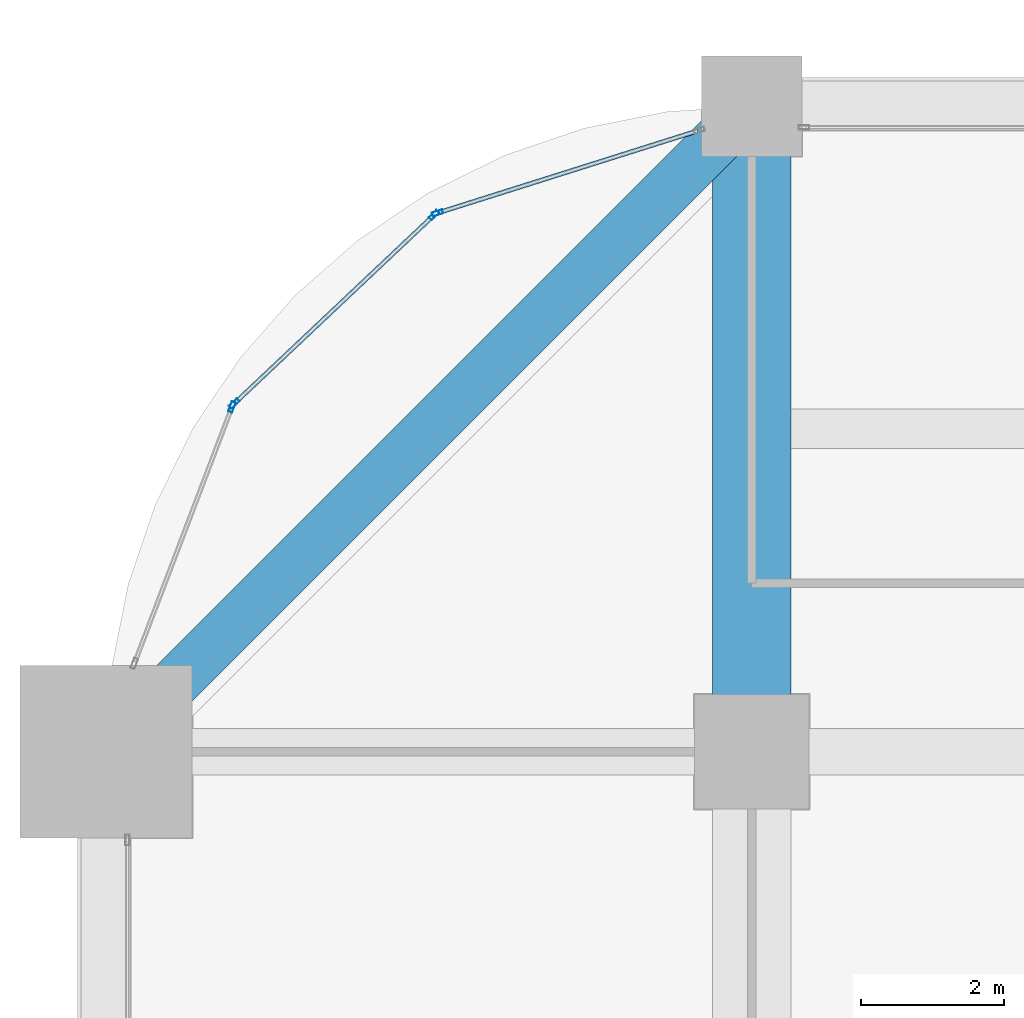
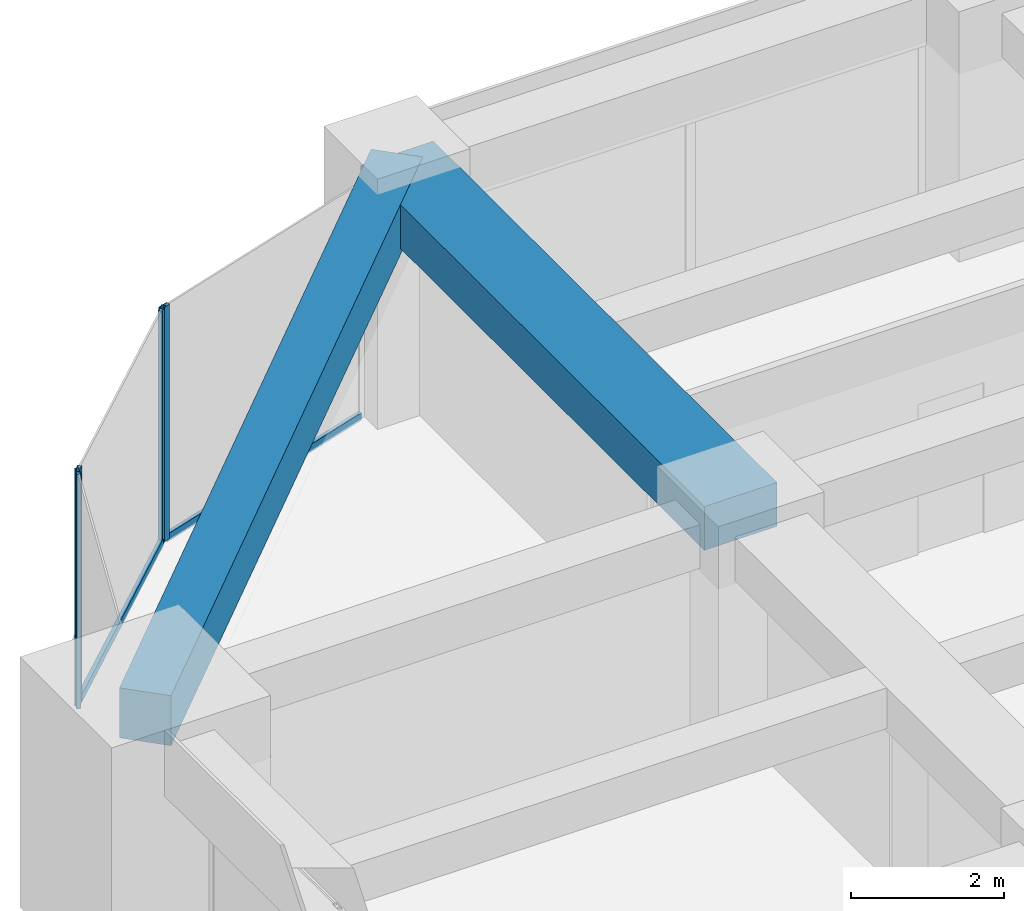
# One storey, part 22 of 32: 6 members, 2 beams, 3 elements without a shape of their own.
"""IFC4 building model written with IfcOpenShell, lengths in metres."""

from ifc_helpers import new_model, si_unit, direction, frame, origin, origin_2d, place, context, subcontext, project, spatial, rectangle, hollow_rectangle, extrude, material, material_profile, profile_set, type_object, element, aggregate, save


model = new_model("IFC4")

# Units and contexts
model_context = context("Model", 3, precision=1e-05, world=origin(), true_north=direction((0.0, 1.0)))
body_context = subcontext(model_context, "Body", "Model", "MODEL_VIEW")
ifc_project = project(units=[si_unit("LENGTHUNIT", "METRE"), si_unit("AREAUNIT", "SQUARE_METRE"), si_unit("VOLUMEUNIT", "CUBIC_METRE"), si_unit("PLANEANGLEUNIT", "RADIAN"), si_unit("MASSUNIT", "GRAM", prefix="KILO")], contexts=[model_context])

# Site, building, storey
site_placement = place(None, origin())
site = spatial("IfcSite", under=ifc_project, at=site_placement, CompositionType="ELEMENT")
building_placement = place(site_placement, origin())
building = spatial("IfcBuilding", under=site, at=building_placement, Name="Zorevar Civic Tower", CompositionType="ELEMENT")
storey_placement = place(building_placement, frame((0.0, 0.0, 186.199951171875)))
storey = spatial("IfcBuildingStorey", under=building, at=storey_placement, Name="L45", CompositionType="ELEMENT", Elevation=186.199951171875)

# Beam
ifc_material_1 = material(Name="Concrete C50/60", Category="concrete")
ifc_material_profile_1 = material_profile(ifc_material_1, rectangle(XDim=1.10009765625, YDim=0.699951171875, at=origin_2d()), Name="RC 1100x700")
ifc_profile_set_1 = profile_set([ifc_material_profile_1], Name="Concrete C50/60")
beam_type_1 = type_object("IfcBeamType", Name="Beam RC 1100x700", PredefinedType="BEAM", material=ifc_profile_set_1)
beam_1_placement = place(storey_placement, frame((9.0, 36.0, 3.400146484375), z_axis=(0.0, 1.0, 0.0), x_axis=(-1.0, 0.0, 0.0)))
element("IfcBeam", 1, at=beam_1_placement, inside=storey, type_object=beam_type_1, Name="Girder L46", PredefinedType="BEAM", context=body_context, shape_type="SweptSolid", body=[
    extrude(rectangle(XDim=1.10009765625, YDim=0.699951171875, at=origin_2d()), origin(), (0.0, 0.0, 1.0), 9.0),
])

# Curtain wall, member
ifc_material_2 = material(Name="Dark grey solar-control glass in black aluminium frame", Category="aluminium")
curtain_wall_type = type_object("IfcCurtainWallType", Name="Curtain wall CW4 high zone", PredefinedType="NOTDEFINED", material=ifc_material_2)
curtain_wall_1_placement = place(storey_placement, origin())
curtain_wall_1 = element("IfcCurtainWall", 2, at=curtain_wall_1_placement, inside=storey, type_object=curtain_wall_type, Name="CW4 L45", PredefinedType="NOTDEFINED")
ifc_material_3 = material(Name="Aluminium, black anodised", Category="aluminium")
ifc_material_profile_2 = material_profile(ifc_material_3, hollow_rectangle(XDim=0.06005859375, YDim=0.14990234375, WallThickness=0.00390625, at=origin_2d()), Name="AL 150x60x4")
ifc_profile_set_2 = profile_set([ifc_material_profile_2], Name="Aluminium, black anodised")
member_type_1 = type_object("IfcMemberType", Name="CW4 mullion AL 150x60x4", PredefinedType="MULLION", material=ifc_profile_set_2)
member_1_placement = place(storey_placement, frame((4.62158203125, 43.51025390625, 0.0), z_axis=(0.0, 0.0, 1.0), x_axis=(0.301108296077, -0.953589950678, 0.0)))
member_1 = element("IfcMember", 3, at=member_1_placement, type_object=member_type_1, Name="CW4 mullion 2", PredefinedType="MULLION", context=body_context, shape_type="SweptSolid", body=[
    extrude(hollow_rectangle(XDim=0.06005859375, YDim=0.14990234375, WallThickness=0.00390625, at=origin_2d()), origin(), (0.0, 0.0, 1.0), 3.75),
])

# Curtain wall, members
curtain_wall_2_placement = place(storey_placement, origin())
curtain_wall_2 = element("IfcCurtainWall", 4, at=curtain_wall_2_placement, inside=storey, type_object=curtain_wall_type, Name="CW4 L45", PredefinedType="NOTDEFINED")
member_2_placement = place(storey_placement, frame((4.5712890625, 43.480712890625, 0.0), z_axis=(0.0, 0.0, 1.0), x_axis=(0.686377907265, -0.727245053898, 0.0)))
member_2 = element("IfcMember", 5, at=member_2_placement, type_object=member_type_1, Name="CW4 mullion 1", PredefinedType="MULLION", context=body_context, shape_type="SweptSolid", body=[
    extrude(hollow_rectangle(XDim=0.06005859375, YDim=0.14990234375, WallThickness=0.00390625, at=origin_2d()), origin(), (0.0, 0.0, 1.0), 3.75),
])
member_3_placement = place(storey_placement, frame((1.787841796875, 40.853759765625, 0.0), z_axis=(0.0, 0.0, 1.0), x_axis=(0.686377907265, -0.727245053898, 0.0)))
member_3 = element("IfcMember", 6, at=member_3_placement, type_object=member_type_1, Name="CW4 mullion 2", PredefinedType="MULLION", context=body_context, shape_type="SweptSolid", body=[
    extrude(hollow_rectangle(XDim=0.06005859375, YDim=0.14990234375, WallThickness=0.00390625, at=origin_2d()), origin(), (0.0, 0.0, 1.0), 3.75),
])

# Curtain wall, member
curtain_wall_3_placement = place(storey_placement, origin())
curtain_wall_3 = element("IfcCurtainWall", 7, at=curtain_wall_3_placement, inside=storey, type_object=curtain_wall_type, Name="CW4 L45", PredefinedType="NOTDEFINED")
member_4_placement = place(storey_placement, frame((1.75537109375, 40.804931640625, 0.0), z_axis=(0.0, 0.0, 1.0), x_axis=(0.93458842801, -0.355730895803, 0.0)))
member_4 = element("IfcMember", 8, at=member_4_placement, type_object=member_type_1, Name="CW4 mullion 1", PredefinedType="MULLION", context=body_context, shape_type="SweptSolid", body=[
    extrude(hollow_rectangle(XDim=0.06005859375, YDim=0.14990234375, WallThickness=0.00390625, at=origin_2d()), origin(), (0.0, 0.0, 1.0), 3.75),
])
aggregate(curtain_wall_3, [member_4])

# Member
ifc_material_4 = material(Name="Aluminium, black anodised", Category="aluminium")
ifc_material_profile_3 = material_profile(ifc_material_4, hollow_rectangle(XDim=0.06005859375, YDim=0.1201171875, WallThickness=0.0029296875, at=origin_2d()), Name="AL 120x60x3")
ifc_profile_set_3 = profile_set([ifc_material_profile_3], Name="Aluminium, black anodised")
member_type_2 = type_object("IfcMemberType", Name="CW4 transom AL 120x60x3", PredefinedType="USERDEFINED", material=ifc_profile_set_3)
member_5_placement = place(storey_placement, frame((8.24267578125, 44.653564453125, 0.030029296875), z_axis=(-0.953592459367, -0.301100351109, 0.0), x_axis=(0.301100351109, -0.953592459367, 0.0)))
member_5 = element("IfcMember", 9, at=member_5_placement, type_object=member_type_2, Name="CW4 sill transom", ObjectType="TRANSOM", PredefinedType="USERDEFINED", context=body_context, shape_type="SweptSolid", body=[
    extrude(hollow_rectangle(XDim=0.06005859375, YDim=0.1201171875, WallThickness=0.0029296875, at=origin_2d()), origin(), (0.0, 0.0, 1.0), 3.76708984375),
])

aggregate(curtain_wall_1, [member_1, member_5])

member_6_placement = place(storey_placement, frame((4.549560546875, 43.4599609375, 0.030029296875), z_axis=(-0.727288059227, -0.686332338526, 0.0), x_axis=(0.686332338526, -0.727288059227, 0.0)))
member_6 = element("IfcMember", 10, at=member_6_placement, type_object=member_type_2, Name="CW4 sill transom", ObjectType="TRANSOM", PredefinedType="USERDEFINED", context=body_context, shape_type="SweptSolid", body=[
    extrude(hollow_rectangle(XDim=0.06005859375, YDim=0.1201171875, WallThickness=0.0029296875, at=origin_2d()), origin(), (0.0, 0.0, 1.0), 3.767333984375),
])

aggregate(curtain_wall_2, [member_2, member_3, member_6])

# Beam
ifc_material_5 = material(Name="Concrete C50/60", Category="concrete")
ifc_material_profile_4 = material_profile(ifc_material_5, rectangle(XDim=0.699951171875, YDim=0.800048828125, at=origin_2d()), Name="RC 700x800")
ifc_profile_set_4 = profile_set([ifc_material_profile_4], Name="Concrete C50/60")
beam_type_2 = type_object("IfcBeamType", Name="Edge beam RC 700x800", PredefinedType="SPANDREL", material=ifc_profile_set_4)
beam_2_placement = place(storey_placement, frame((9.0, 45.0, 3.35009765625), z_axis=(-0.707106781187, -0.707106781187, 0.0), x_axis=(0.707106781187, -0.707106781187, 0.0)))
element("IfcBeam", 11, at=beam_2_placement, inside=storey, type_object=beam_type_2, Name="Corner edge beam L46", PredefinedType="SPANDREL", context=body_context, shape_type="SweptSolid", body=[
    extrude(rectangle(XDim=0.699951171875, YDim=0.800048828125, at=origin_2d()), origin(), (0.0, 0.0, 1.0), 12.72802734375),
])

save(model, "model.ifc")
